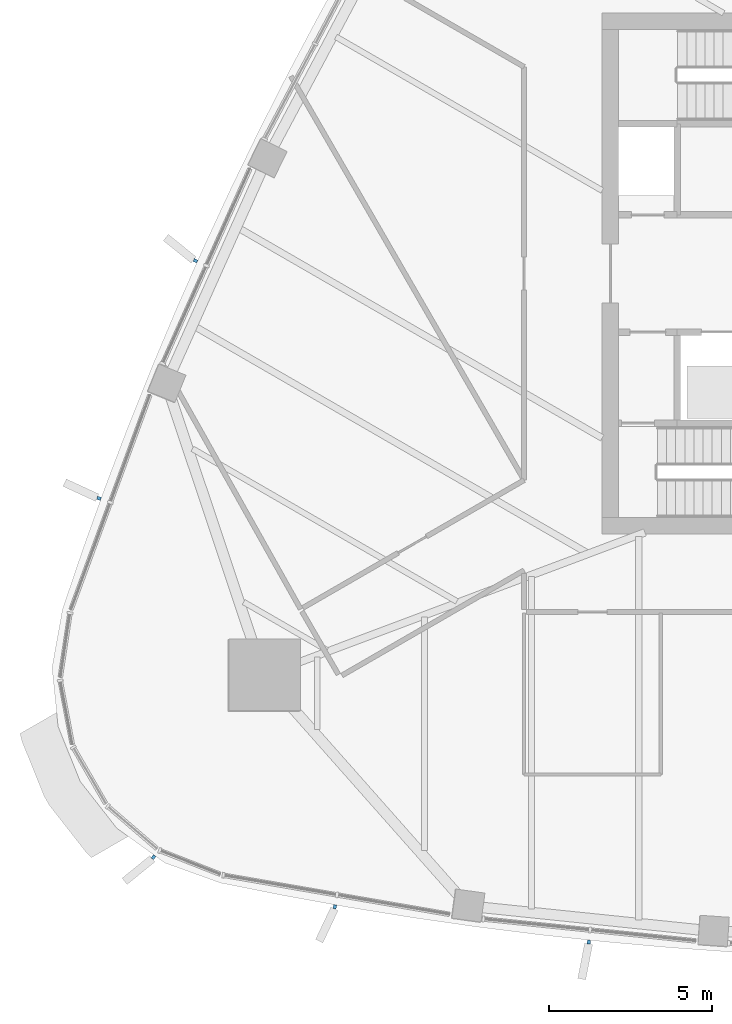
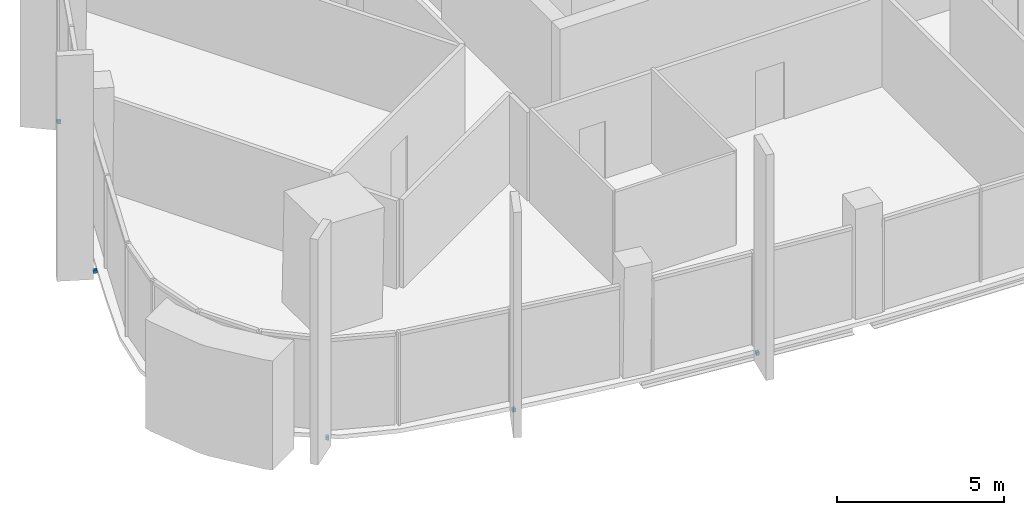
# One storey, part 12 of 18: 5 discrete accessories.
"""IFC4 building model written with IfcOpenShell, lengths in metres."""

from ifc_helpers import new_model, si_unit, direction, frame, origin, origin_2d, place, context, subcontext, project, spatial, rectangle, extrude, material, type_object, element, save


model = new_model("IFC4")

# Units and contexts
model_context = context("Model", 3, precision=1e-05, world=origin(), true_north=direction((0.0, 1.0)))
body_context = subcontext(model_context, "Body", "Model", "MODEL_VIEW")
ifc_project = project(units=[si_unit("LENGTHUNIT", "METRE"), si_unit("AREAUNIT", "SQUARE_METRE"), si_unit("VOLUMEUNIT", "CUBIC_METRE"), si_unit("PLANEANGLEUNIT", "RADIAN"), si_unit("MASSUNIT", "GRAM", prefix="KILO")], contexts=[model_context])

# Site, building, storey
site_placement = place(None, origin())
site = spatial("IfcSite", under=ifc_project, at=site_placement, CompositionType="ELEMENT")
building_placement = place(site_placement, origin())
building = spatial("IfcBuilding", under=site, at=building_placement, Name="Sierra Prisma Convention Tower", CompositionType="ELEMENT")
storey_placement = place(building_placement, frame((0.0, 0.0, 263.0)))
storey = spatial("IfcBuildingStorey", under=building, at=storey_placement, Name="L59", CompositionType="ELEMENT", Elevation=263.0)

# Discrete accessories
ifc_material = material(Name="Stainless steel 316", Category="steel")
discrete_accessory_type = type_object("IfcDiscreteAccessoryType", Name="Fin bracket", PredefinedType="BRACKET", material=ifc_material)
for number, where, z_axis, x_axis, name in (
    (1, (-19.216796875, -19.464599609375, -0.135009765625), (0.0, 0.0, 1.0), (-0.177794886844, -0.98406756791, 0.0), "Fin bracket L59.2 base"),
    (2, (-11.410888671875, -20.548095703125, -0.135009765625), (0.0, 0.0, 1.0), (-0.10704163501, -0.994254539026, 0.0), "Fin bracket L59.5 base"),
    (3, (-23.50048828125, 0.391845703125, -0.135009765625), (0.0, 0.0, 1.0), (-0.91457050613, 0.404426494332, 0.0), "Fin bracket L59.58 base"),
    (4, (-26.46533203125, -6.909912109375, -0.135009765625), (0.0, 0.0, 1.0), (-0.941124956273, 0.338058895285, 0.0), "Fin bracket L59.61 base"),
    (5, (-24.790283203125, -17.938720703125, -0.135009765625), (0.0, 0.0, 1.0), (-0.586213620323, -0.810156522746, 0.0), "Fin bracket L59.66 base"),
):
    element("IfcDiscreteAccessory", number, at=place(storey_placement, frame(where, z_axis=z_axis, x_axis=x_axis)), inside=storey, type_object=discrete_accessory_type, Name=name, PredefinedType="BRACKET", context=body_context, shape_type="SweptSolid", body=[
        extrude(rectangle(XDim=0.1201171875, YDim=0.10009765625, at=origin_2d()), origin(), (0.0, 0.0, 1.0), 0.1201171875),
    ])

save(model, "model.ifc")
